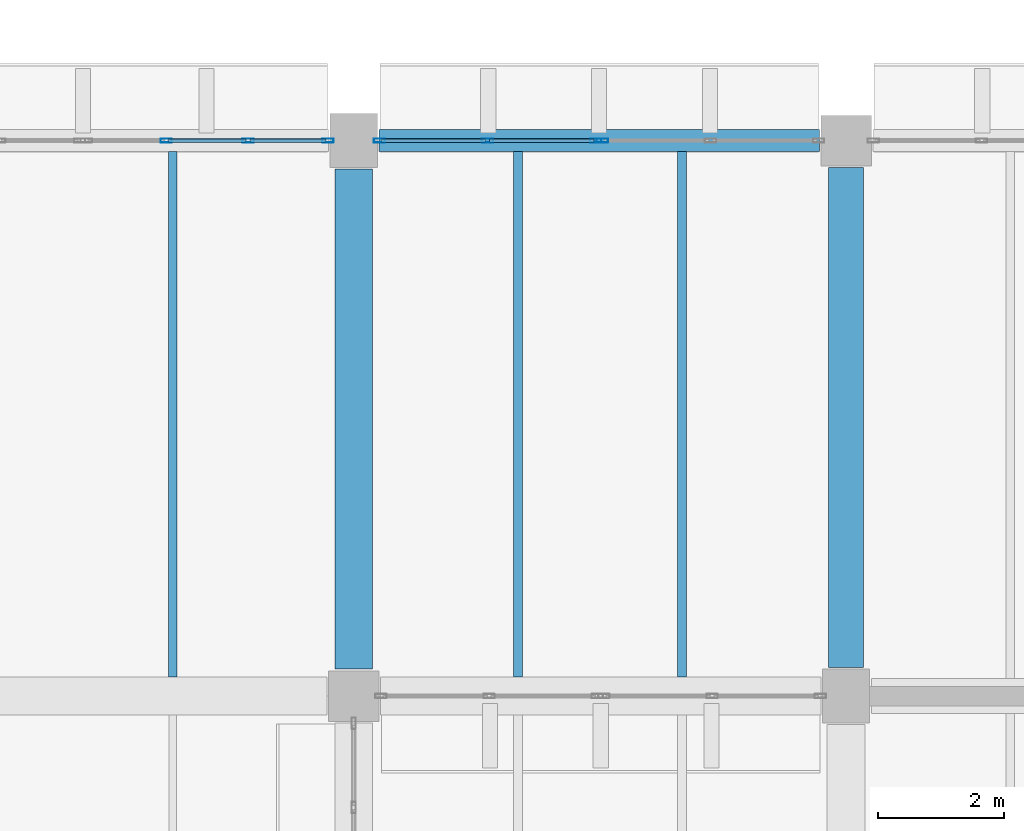
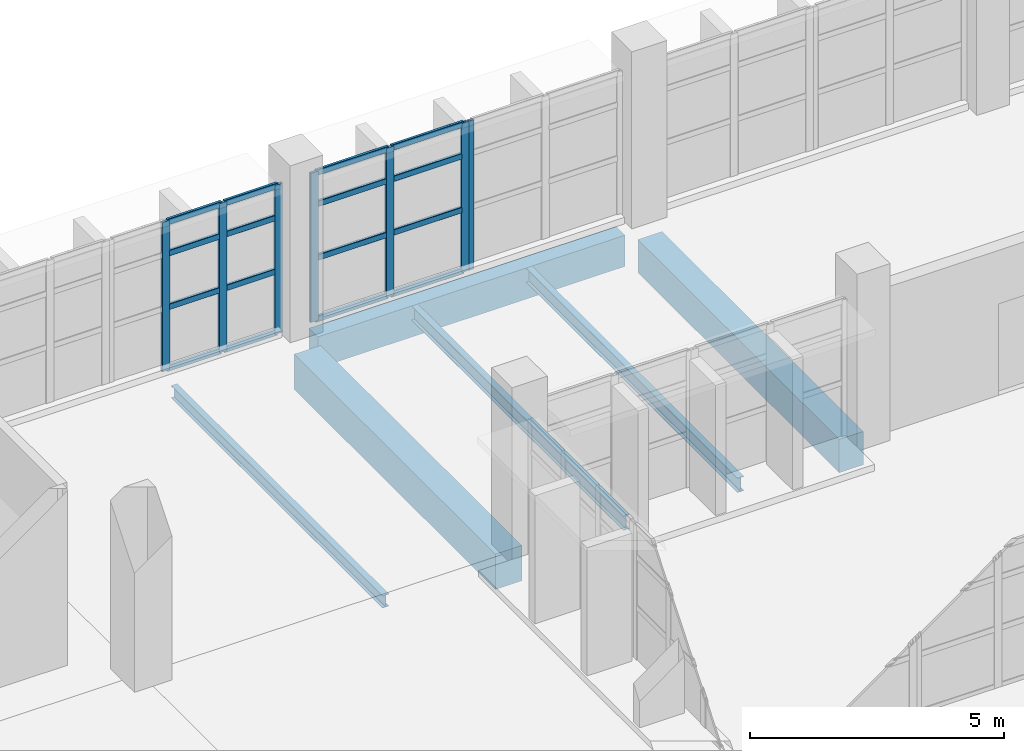
# One storey, part 20 of 76: 23 members, 6 beams, 3 elements without a shape of their own.
"""IFC4 building model written with IfcOpenShell, lengths in metres."""

from ifc_helpers import new_model, si_unit, direction, frame, origin, origin_2d, place, context, subcontext, project, spatial, rectangle, hollow_rectangle, i_section, extrude, material, material_profile, profile_set, type_object, element, aggregate, save


model = new_model("IFC4")

# Units and contexts
model_context = context("Model", 3, precision=1e-05, world=origin(), true_north=direction((0.0, 1.0)))
body_context = subcontext(model_context, "Body", "Model", "MODEL_VIEW")
ifc_project = project(units=[si_unit("LENGTHUNIT", "METRE"), si_unit("AREAUNIT", "SQUARE_METRE"), si_unit("VOLUMEUNIT", "CUBIC_METRE"), si_unit("PLANEANGLEUNIT", "RADIAN"), si_unit("MASSUNIT", "GRAM", prefix="KILO")], contexts=[model_context])

# Site, building, storey
site_placement = place(None, origin())
site = spatial("IfcSite", under=ifc_project, at=site_placement, CompositionType="ELEMENT")
building_placement = place(site_placement, origin())
building = spatial("IfcBuilding", under=site, at=building_placement, Name="Varnakota Cinema and Media Centre", CompositionType="ELEMENT")
storey_placement = place(building_placement, origin())
storey = spatial("IfcBuildingStorey", under=building, at=storey_placement, Name="L00", CompositionType="ELEMENT", Elevation=0.0)

# Beams
ifc_material_1 = material(Name="Concrete M35", Category="concrete")
ifc_material_profile_1 = material_profile(ifc_material_1, rectangle(XDim=0.550048828125, YDim=0.800048828125, at=origin_2d()), Name="RCB 550x800")
ifc_profile_set_1 = profile_set([ifc_material_profile_1], Name="Concrete M35")
beam_type_1 = type_object("IfcBeamType", Name="BM-RC-550x800", PredefinedType="BEAM", material=ifc_profile_set_1)
beam_1_placement = place(storey_placement, frame((59.39990234375, 35.64990234375, -0.679931640625), z_axis=(0.0, 1.0, 0.0), x_axis=(-1.0, 0.0, 0.0)))
element("IfcBeam", 1, at=beam_1_placement, inside=storey, type_object=beam_type_1, Name="L00 girder H/5-6", PredefinedType="BEAM", context=body_context, shape_type="SweptSolid", body=[
    extrude(rectangle(XDim=0.550048828125, YDim=0.800048828125, at=origin_2d()), origin(), (0.0, 0.0, 1.0), 7.925048828125),
])
ifc_material_2 = material(Name="Concrete M35", Category="concrete")
ifc_material_profile_2 = material_profile(ifc_material_2, rectangle(XDim=0.60009765625, YDim=0.85009765625, at=origin_2d()), Name="RCB 600x850")
ifc_profile_set_2 = profile_set([ifc_material_profile_2], Name="Concrete M35")
beam_type_2 = type_object("IfcBeamType", Name="BM-RC-600x850", PredefinedType="BEAM", material=ifc_profile_set_2)
beam_2_placement = place(storey_placement, frame((51.60009765625, 35.625, -0.705078125), z_axis=(0.0, 1.0, 0.0), x_axis=(-1.0, 0.0, 0.0)))
element("IfcBeam", 2, at=beam_2_placement, inside=storey, type_object=beam_type_2, Name="L00 girder G/5-6", PredefinedType="BEAM", context=body_context, shape_type="SweptSolid", body=[
    extrude(rectangle(XDim=0.60009765625, YDim=0.85009765625, at=origin_2d()), origin(), (0.0, 0.0, 1.0), 7.925048828125),
])
ifc_material_3 = material(Name="Concrete M40", Category="concrete")
ifc_material_profile_3 = material_profile(ifc_material_3, rectangle(XDim=0.35009765625, YDim=0.75, at=origin_2d()), Name="RCB 350x750")
ifc_profile_set_3 = profile_set([ifc_material_profile_3], Name="Concrete M40")
beam_type_3 = type_object("IfcBeamType", Name="BM-SP-350x750", PredefinedType="SPANDREL", material=ifc_profile_set_3)
beam_3_placement = place(storey_placement, frame((52.0, 44.0, -0.655029296875), z_axis=(1.0, 0.0, 0.0), x_axis=(0.0, 1.0, 0.0)))
element("IfcBeam", 3, at=beam_3_placement, inside=storey, type_object=beam_type_3, Name="L00 girder G-H/6", PredefinedType="SPANDREL", context=body_context, shape_type="SweptSolid", body=[
    extrude(rectangle(XDim=0.35009765625, YDim=0.75, at=origin_2d()), origin(), (0.0, 0.0, 1.0), 6.97509765625),
])
ifc_material_4 = material(Name="Structural steel Grade 350 (E350)", Category="steel")
ifc_material_profile_4 = material_profile(ifc_material_4, i_section(OverallWidth=0.139892578125, OverallDepth=0.300048828125, WebThickness=0.0078125, FlangeThickness=0.01318359375, FilletRadius=0.013916015625, at=origin_2d()), Name="ISMB 300")
ifc_profile_set_4 = profile_set([ifc_material_profile_4], Name="Structural steel Grade 350 (E350)")
beam_type_4 = type_object("IfcBeamType", Name="BM-ST-ISMB300", PredefinedType="JOIST", material=ifc_profile_set_4)
beam_4_placement = place(storey_placement, frame((48.7333984375, 35.5, -0.429931640625), z_axis=(0.0, 1.0, 0.0), x_axis=(-1.0, 0.0, 0.0)))
element("IfcBeam", 4, at=beam_4_placement, inside=storey, type_object=beam_type_4, Name="L00 steel joist F-G/5-6 #2", PredefinedType="JOIST", context=body_context, shape_type="SweptSolid", body=[
    extrude(i_section(OverallWidth=0.139892578125, OverallDepth=0.300048828125, WebThickness=0.0078125, FlangeThickness=0.01318359375, FilletRadius=0.013916015625, at=origin_2d()), origin(), (0.0, 0.0, 1.0), 8.324951171875),
])
ifc_material_5 = material(Name="Structural steel Grade 350 (E350)", Category="steel")
ifc_material_profile_5 = material_profile(ifc_material_5, i_section(OverallWidth=0.139892578125, OverallDepth=0.35009765625, WebThickness=0.008056640625, FlangeThickness=0.01416015625, FilletRadius=0.013916015625, at=origin_2d()), Name="ISMB 350")
ifc_profile_set_5 = profile_set([ifc_material_profile_5], Name="Structural steel Grade 350 (E350)")
beam_type_5 = type_object("IfcBeamType", Name="BM-ST-ISMB350", PredefinedType="JOIST", material=ifc_profile_set_5)
for number, where, z_axis, x_axis, name in (
    (5, (54.199951171875, 35.5, -0.455078125), (0.0, 1.0, 0.0), (-1.0, 0.0, 0.0), "L00 steel joist G-H/5-6 #1"),
    (6, (56.800048828125, 35.5, -0.455078125), (0.0, 1.0, 0.0), (-1.0, 0.0, 0.0), "L00 steel joist G-H/5-6 #2"),
):
    element("IfcBeam", number, at=place(storey_placement, frame(where, z_axis=z_axis, x_axis=x_axis)), inside=storey, type_object=beam_type_5, Name=name, PredefinedType="JOIST", context=body_context, shape_type="SweptSolid", body=[
        extrude(i_section(OverallWidth=0.139892578125, OverallDepth=0.35009765625, WebThickness=0.008056640625, FlangeThickness=0.01416015625, FilletRadius=0.013916015625, at=origin_2d()), origin(), (0.0, 0.0, 1.0), 8.324951171875),
    ])

# Curtain wall, members
ifc_material_6 = material(Name="Thermally broken anodised aluminium AW-6063", Category="aluminium")
curtain_wall_type_1 = type_object("IfcCurtainWallType", Name="CW-STD-389x358", PredefinedType="USERDEFINED", material=ifc_material_6)
curtain_wall_1_placement = place(storey_placement, origin())
curtain_wall_1 = element("IfcCurtainWall", 7, at=curtain_wall_1_placement, inside=storey, type_object=curtain_wall_type_1, Name="L00 curtain wall CW-L00-LINK-N-01-2", ObjectType="UNITISED CURTAIN WALL", PredefinedType="USERDEFINED")
ifc_material_7 = material(Name="Thermally broken anodised aluminium AW-6063", Category="aluminium")
ifc_material_profile_6 = material_profile(ifc_material_7, hollow_rectangle(XDim=0.06494140625, YDim=0.179931640625, WallThickness=0.00390625, InnerFilletRadius=0.00390625, OuterFilletRadius=0.008056640625, at=origin_2d()), Name="AL-MULLION 180x65x4")
ifc_profile_set_6 = profile_set([ifc_material_profile_6], Name="Thermally broken anodised aluminium AW-6063")
member_type_1 = type_object("IfcMemberType", Name="CWM-AL-180", PredefinedType="MULLION", material=ifc_profile_set_6)
member_1_placement = place(storey_placement, frame((48.6298828125, 44.0, 0.0), z_axis=(0.0, 0.0, 1.0), x_axis=(0.0, 1.0, 0.0)))
member_1 = element("IfcMember", 8, at=member_1_placement, type_object=member_type_1, Name="CW07 mullion 2", PredefinedType="MULLION", context=body_context, shape_type="SweptSolid", body=[
    extrude(hollow_rectangle(XDim=0.06494140625, YDim=0.179931640625, WallThickness=0.00390625, InnerFilletRadius=0.00390625, OuterFilletRadius=0.008056640625, at=origin_2d()), origin(), (0.0, 0.0, 1.0), 3.5849609375),
])
member_2_placement = place(storey_placement, frame((49.927490234375, 44.0, 0.0), z_axis=(0.0, 0.0, 1.0), x_axis=(0.0, 1.0, 0.0)))
member_2 = element("IfcMember", 9, at=member_2_placement, type_object=member_type_1, Name="CW07 mullion 3", PredefinedType="MULLION", context=body_context, shape_type="SweptSolid", body=[
    extrude(hollow_rectangle(XDim=0.06494140625, YDim=0.179931640625, WallThickness=0.00390625, InnerFilletRadius=0.00390625, OuterFilletRadius=0.008056640625, at=origin_2d()), origin(), (0.0, 0.0, 1.0), 3.5849609375),
])
member_3_placement = place(storey_placement, frame((51.1923828125, 44.0, 0.0), z_axis=(0.0, 0.0, 1.0), x_axis=(0.0, 1.0, 0.0)))
member_3 = element("IfcMember", 10, at=member_3_placement, type_object=member_type_1, Name="CW07 mullion 4", PredefinedType="MULLION", context=body_context, shape_type="SweptSolid", body=[
    extrude(hollow_rectangle(XDim=0.06494140625, YDim=0.179931640625, WallThickness=0.00390625, InnerFilletRadius=0.00390625, OuterFilletRadius=0.008056640625, at=origin_2d()), origin(), (0.0, 0.0, 1.0), 3.5849609375),
])

ifc_material_8 = material(Name="Thermally broken anodised aluminium AW-6063", Category="aluminium")
curtain_wall_type_2 = type_object("IfcCurtainWallType", Name="CW-STD-349x358", PredefinedType="USERDEFINED", material=ifc_material_8)
curtain_wall_2_placement = place(storey_placement, origin())
curtain_wall_2 = element("IfcCurtainWall", 11, at=curtain_wall_2_placement, inside=storey, type_object=curtain_wall_type_2, Name="L00 curtain wall CW-L00-LINK-N-02-1", ObjectType="UNITISED CURTAIN WALL", PredefinedType="USERDEFINED")
member_4_placement = place(storey_placement, frame((52.007568359375, 44.0, 0.0), z_axis=(0.0, 0.0, 1.0), x_axis=(0.0, 1.0, 0.0)))
member_4 = element("IfcMember", 12, at=member_4_placement, type_object=member_type_1, Name="CW08 mullion 1", PredefinedType="MULLION", context=body_context, shape_type="SweptSolid", body=[
    extrude(hollow_rectangle(XDim=0.06494140625, YDim=0.179931640625, WallThickness=0.00390625, InnerFilletRadius=0.00390625, OuterFilletRadius=0.008056640625, at=origin_2d()), origin(), (0.0, 0.0, 1.0), 3.5849609375),
])
member_5_placement = place(storey_placement, frame((53.72119140625, 44.0, 0.0), z_axis=(0.0, 0.0, 1.0), x_axis=(0.0, 1.0, 0.0)))
member_5 = element("IfcMember", 13, at=member_5_placement, type_object=member_type_1, Name="CW08 mullion 2", PredefinedType="MULLION", context=body_context, shape_type="SweptSolid", body=[
    extrude(hollow_rectangle(XDim=0.06494140625, YDim=0.179931640625, WallThickness=0.00390625, InnerFilletRadius=0.00390625, OuterFilletRadius=0.008056640625, at=origin_2d()), origin(), (0.0, 0.0, 1.0), 3.5849609375),
])
member_6_placement = place(storey_placement, frame((55.43505859375, 44.0, 0.0), z_axis=(0.0, 0.0, 1.0), x_axis=(0.0, 1.0, 0.0)))
member_6 = element("IfcMember", 14, at=member_6_placement, type_object=member_type_1, Name="CW08 mullion 3", PredefinedType="MULLION", context=body_context, shape_type="SweptSolid", body=[
    extrude(hollow_rectangle(XDim=0.06494140625, YDim=0.179931640625, WallThickness=0.00390625, InnerFilletRadius=0.00390625, OuterFilletRadius=0.008056640625, at=origin_2d()), origin(), (0.0, 0.0, 1.0), 3.5849609375),
])

# Curtain wall, member
curtain_wall_3_placement = place(storey_placement, origin())
curtain_wall_3 = element("IfcCurtainWall", 15, at=curtain_wall_3_placement, inside=storey, type_object=curtain_wall_type_2, Name="L00 curtain wall CW-L00-LINK-N-02-2", ObjectType="UNITISED CURTAIN WALL", PredefinedType="USERDEFINED")
member_7_placement = place(storey_placement, frame((55.5400390625, 44.0, 0.0), z_axis=(0.0, 0.0, 1.0), x_axis=(0.0, 1.0, 0.0)))
member_7 = element("IfcMember", 16, at=member_7_placement, type_object=member_type_1, Name="CW08 mullion 1", PredefinedType="MULLION", context=body_context, shape_type="SweptSolid", body=[
    extrude(hollow_rectangle(XDim=0.06494140625, YDim=0.179931640625, WallThickness=0.00390625, InnerFilletRadius=0.00390625, OuterFilletRadius=0.008056640625, at=origin_2d()), origin(), (0.0, 0.0, 1.0), 3.5849609375),
])
aggregate(curtain_wall_3, [member_7])

# Member
ifc_material_9 = material(Name="Thermally broken anodised aluminium AW-6063", Category="aluminium")
ifc_material_profile_7 = material_profile(ifc_material_9, hollow_rectangle(XDim=0.06494140625, YDim=0.139892578125, WallThickness=0.00390625, InnerFilletRadius=0.00390625, OuterFilletRadius=0.008056640625, at=origin_2d()), Name="AL-TRANSOM 140x65x4")
ifc_profile_set_7 = profile_set([ifc_material_profile_7], Name="Thermally broken anodised aluminium AW-6063")
member_type_2 = type_object("IfcMemberType", Name="CWT-AL-140", PredefinedType="USERDEFINED", material=ifc_profile_set_7)
member_8_placement = place(storey_placement, frame((48.66259765625, 44.0, 0.032470703125), z_axis=(1.0, 0.0, 0.0), x_axis=(0.0, 1.0, 0.0)))
member_8 = element("IfcMember", 17, at=member_8_placement, type_object=member_type_2, Name="CW07 transom 2.1", ObjectType="TRANSOM", PredefinedType="USERDEFINED", context=body_context, shape_type="SweptSolid", body=[
    extrude(hollow_rectangle(XDim=0.06494140625, YDim=0.139892578125, WallThickness=0.00390625, InnerFilletRadius=0.00390625, OuterFilletRadius=0.008056640625, at=origin_2d()), origin(), (0.0, 0.0, 1.0), 1.232421875),
])

member_9_placement = place(storey_placement, frame((48.66259765625, 44.0, 1.505615234375), z_axis=(1.0, 0.0, 0.0), x_axis=(0.0, 1.0, 0.0)))
member_9 = element("IfcMember", 18, at=member_9_placement, type_object=member_type_2, Name="CW07 transom 2.2", ObjectType="TRANSOM", PredefinedType="USERDEFINED", context=body_context, shape_type="SweptSolid", body=[
    extrude(hollow_rectangle(XDim=0.06494140625, YDim=0.139892578125, WallThickness=0.00390625, InnerFilletRadius=0.00390625, OuterFilletRadius=0.008056640625, at=origin_2d()), origin(), (0.0, 0.0, 1.0), 1.232421875),
])

member_10_placement = place(storey_placement, frame((48.66259765625, 44.0, 2.79638671875), z_axis=(1.0, 0.0, 0.0), x_axis=(0.0, 1.0, 0.0)))
member_10 = element("IfcMember", 19, at=member_10_placement, type_object=member_type_2, Name="CW07 transom 2.3", ObjectType="TRANSOM", PredefinedType="USERDEFINED", context=body_context, shape_type="SweptSolid", body=[
    extrude(hollow_rectangle(XDim=0.06494140625, YDim=0.139892578125, WallThickness=0.00390625, InnerFilletRadius=0.00390625, OuterFilletRadius=0.008056640625, at=origin_2d()), origin(), (0.0, 0.0, 1.0), 1.232421875),
])

member_11_placement = place(storey_placement, frame((48.66259765625, 44.0, 3.552490234375), z_axis=(1.0, 0.0, 0.0), x_axis=(0.0, 1.0, 0.0)))
member_11 = element("IfcMember", 20, at=member_11_placement, type_object=member_type_2, Name="CW07 transom 2.4", ObjectType="TRANSOM", PredefinedType="USERDEFINED", context=body_context, shape_type="SweptSolid", body=[
    extrude(hollow_rectangle(XDim=0.06494140625, YDim=0.139892578125, WallThickness=0.00390625, InnerFilletRadius=0.00390625, OuterFilletRadius=0.008056640625, at=origin_2d()), origin(), (0.0, 0.0, 1.0), 1.232421875),
])

member_12_placement = place(storey_placement, frame((49.9599609375, 44.0, 0.032470703125), z_axis=(1.0, 0.0, 0.0), x_axis=(0.0, 1.0, 0.0)))
member_12 = element("IfcMember", 21, at=member_12_placement, type_object=member_type_2, Name="CW07 transom 3.1", ObjectType="TRANSOM", PredefinedType="USERDEFINED", context=body_context, shape_type="SweptSolid", body=[
    extrude(hollow_rectangle(XDim=0.06494140625, YDim=0.139892578125, WallThickness=0.00390625, InnerFilletRadius=0.00390625, OuterFilletRadius=0.008056640625, at=origin_2d()), origin(), (0.0, 0.0, 1.0), 1.199951171875),
])

member_13_placement = place(storey_placement, frame((49.9599609375, 44.0, 1.505615234375), z_axis=(1.0, 0.0, 0.0), x_axis=(0.0, 1.0, 0.0)))
member_13 = element("IfcMember", 22, at=member_13_placement, type_object=member_type_2, Name="CW07 transom 3.2", ObjectType="TRANSOM", PredefinedType="USERDEFINED", context=body_context, shape_type="SweptSolid", body=[
    extrude(hollow_rectangle(XDim=0.06494140625, YDim=0.139892578125, WallThickness=0.00390625, InnerFilletRadius=0.00390625, OuterFilletRadius=0.008056640625, at=origin_2d()), origin(), (0.0, 0.0, 1.0), 1.199951171875),
])

member_14_placement = place(storey_placement, frame((49.9599609375, 44.0, 2.79638671875), z_axis=(1.0, 0.0, 0.0), x_axis=(0.0, 1.0, 0.0)))
member_14 = element("IfcMember", 23, at=member_14_placement, type_object=member_type_2, Name="CW07 transom 3.3", ObjectType="TRANSOM", PredefinedType="USERDEFINED", context=body_context, shape_type="SweptSolid", body=[
    extrude(hollow_rectangle(XDim=0.06494140625, YDim=0.139892578125, WallThickness=0.00390625, InnerFilletRadius=0.00390625, OuterFilletRadius=0.008056640625, at=origin_2d()), origin(), (0.0, 0.0, 1.0), 1.199951171875),
])

member_15_placement = place(storey_placement, frame((49.9599609375, 44.0, 3.552490234375), z_axis=(1.0, 0.0, 0.0), x_axis=(0.0, 1.0, 0.0)))
member_15 = element("IfcMember", 24, at=member_15_placement, type_object=member_type_2, Name="CW07 transom 3.4", ObjectType="TRANSOM", PredefinedType="USERDEFINED", context=body_context, shape_type="SweptSolid", body=[
    extrude(hollow_rectangle(XDim=0.06494140625, YDim=0.139892578125, WallThickness=0.00390625, InnerFilletRadius=0.00390625, OuterFilletRadius=0.008056640625, at=origin_2d()), origin(), (0.0, 0.0, 1.0), 1.199951171875),
])

aggregate(curtain_wall_1, [member_1, member_2, member_3, member_8, member_9, member_10, member_11, member_12, member_13, member_14, member_15])

member_16_placement = place(storey_placement, frame((52.0400390625, 44.0, 0.032470703125), z_axis=(1.0, 0.0, 0.0), x_axis=(0.0, 1.0, 0.0)))
member_16 = element("IfcMember", 25, at=member_16_placement, type_object=member_type_2, Name="CW08 transom 1.1", ObjectType="TRANSOM", PredefinedType="USERDEFINED", context=body_context, shape_type="SweptSolid", body=[
    extrude(hollow_rectangle(XDim=0.06494140625, YDim=0.139892578125, WallThickness=0.00390625, InnerFilletRadius=0.00390625, OuterFilletRadius=0.008056640625, at=origin_2d()), origin(), (0.0, 0.0, 1.0), 1.648681640625),
])

member_17_placement = place(storey_placement, frame((52.0400390625, 44.0, 1.505615234375), z_axis=(1.0, 0.0, 0.0), x_axis=(0.0, 1.0, 0.0)))
member_17 = element("IfcMember", 26, at=member_17_placement, type_object=member_type_2, Name="CW08 transom 1.2", ObjectType="TRANSOM", PredefinedType="USERDEFINED", context=body_context, shape_type="SweptSolid", body=[
    extrude(hollow_rectangle(XDim=0.06494140625, YDim=0.139892578125, WallThickness=0.00390625, InnerFilletRadius=0.00390625, OuterFilletRadius=0.008056640625, at=origin_2d()), origin(), (0.0, 0.0, 1.0), 1.648681640625),
])

member_18_placement = place(storey_placement, frame((52.0400390625, 44.0, 2.79638671875), z_axis=(1.0, 0.0, 0.0), x_axis=(0.0, 1.0, 0.0)))
member_18 = element("IfcMember", 27, at=member_18_placement, type_object=member_type_2, Name="CW08 transom 1.3", ObjectType="TRANSOM", PredefinedType="USERDEFINED", context=body_context, shape_type="SweptSolid", body=[
    extrude(hollow_rectangle(XDim=0.06494140625, YDim=0.139892578125, WallThickness=0.00390625, InnerFilletRadius=0.00390625, OuterFilletRadius=0.008056640625, at=origin_2d()), origin(), (0.0, 0.0, 1.0), 1.648681640625),
])

member_19_placement = place(storey_placement, frame((52.0400390625, 44.0, 3.552490234375), z_axis=(1.0, 0.0, 0.0), x_axis=(0.0, 1.0, 0.0)))
member_19 = element("IfcMember", 28, at=member_19_placement, type_object=member_type_2, Name="CW08 transom 1.4", ObjectType="TRANSOM", PredefinedType="USERDEFINED", context=body_context, shape_type="SweptSolid", body=[
    extrude(hollow_rectangle(XDim=0.06494140625, YDim=0.139892578125, WallThickness=0.00390625, InnerFilletRadius=0.00390625, OuterFilletRadius=0.008056640625, at=origin_2d()), origin(), (0.0, 0.0, 1.0), 1.648681640625),
])

member_20_placement = place(storey_placement, frame((53.753662109375, 44.0, 0.032470703125), z_axis=(1.0, 0.0, 0.0), x_axis=(0.0, 1.0, 0.0)))
member_20 = element("IfcMember", 29, at=member_20_placement, type_object=member_type_2, Name="CW08 transom 2.1", ObjectType="TRANSOM", PredefinedType="USERDEFINED", context=body_context, shape_type="SweptSolid", body=[
    extrude(hollow_rectangle(XDim=0.06494140625, YDim=0.139892578125, WallThickness=0.00390625, InnerFilletRadius=0.00390625, OuterFilletRadius=0.008056640625, at=origin_2d()), origin(), (0.0, 0.0, 1.0), 1.64892578125),
])

member_21_placement = place(storey_placement, frame((53.753662109375, 44.0, 1.505615234375), z_axis=(1.0, 0.0, 0.0), x_axis=(0.0, 1.0, 0.0)))
member_21 = element("IfcMember", 30, at=member_21_placement, type_object=member_type_2, Name="CW08 transom 2.2", ObjectType="TRANSOM", PredefinedType="USERDEFINED", context=body_context, shape_type="SweptSolid", body=[
    extrude(hollow_rectangle(XDim=0.06494140625, YDim=0.139892578125, WallThickness=0.00390625, InnerFilletRadius=0.00390625, OuterFilletRadius=0.008056640625, at=origin_2d()), origin(), (0.0, 0.0, 1.0), 1.64892578125),
])

member_22_placement = place(storey_placement, frame((53.753662109375, 44.0, 2.79638671875), z_axis=(1.0, 0.0, 0.0), x_axis=(0.0, 1.0, 0.0)))
member_22 = element("IfcMember", 31, at=member_22_placement, type_object=member_type_2, Name="CW08 transom 2.3", ObjectType="TRANSOM", PredefinedType="USERDEFINED", context=body_context, shape_type="SweptSolid", body=[
    extrude(hollow_rectangle(XDim=0.06494140625, YDim=0.139892578125, WallThickness=0.00390625, InnerFilletRadius=0.00390625, OuterFilletRadius=0.008056640625, at=origin_2d()), origin(), (0.0, 0.0, 1.0), 1.64892578125),
])

member_23_placement = place(storey_placement, frame((53.753662109375, 44.0, 3.552490234375), z_axis=(1.0, 0.0, 0.0), x_axis=(0.0, 1.0, 0.0)))
member_23 = element("IfcMember", 32, at=member_23_placement, type_object=member_type_2, Name="CW08 transom 2.4", ObjectType="TRANSOM", PredefinedType="USERDEFINED", context=body_context, shape_type="SweptSolid", body=[
    extrude(hollow_rectangle(XDim=0.06494140625, YDim=0.139892578125, WallThickness=0.00390625, InnerFilletRadius=0.00390625, OuterFilletRadius=0.008056640625, at=origin_2d()), origin(), (0.0, 0.0, 1.0), 1.64892578125),
])

aggregate(curtain_wall_2, [member_4, member_5, member_6, member_16, member_17, member_18, member_19, member_20, member_21, member_22, member_23])

save(model, "model.ifc")
